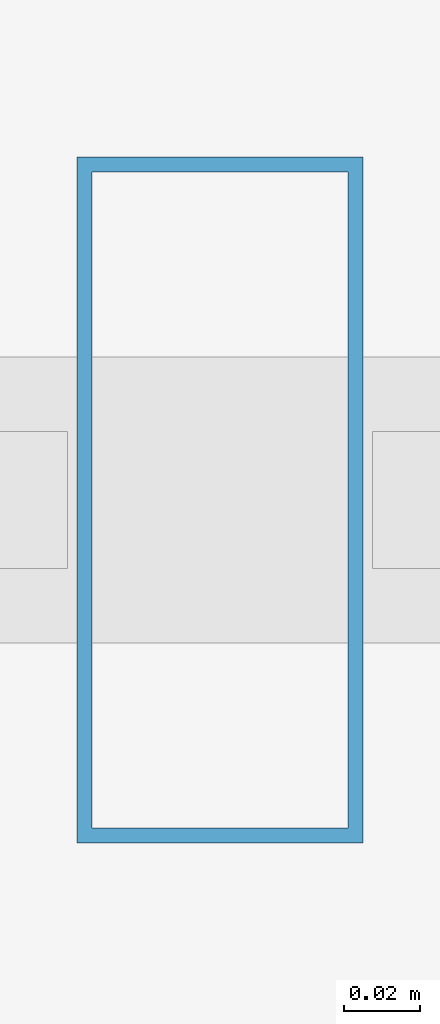
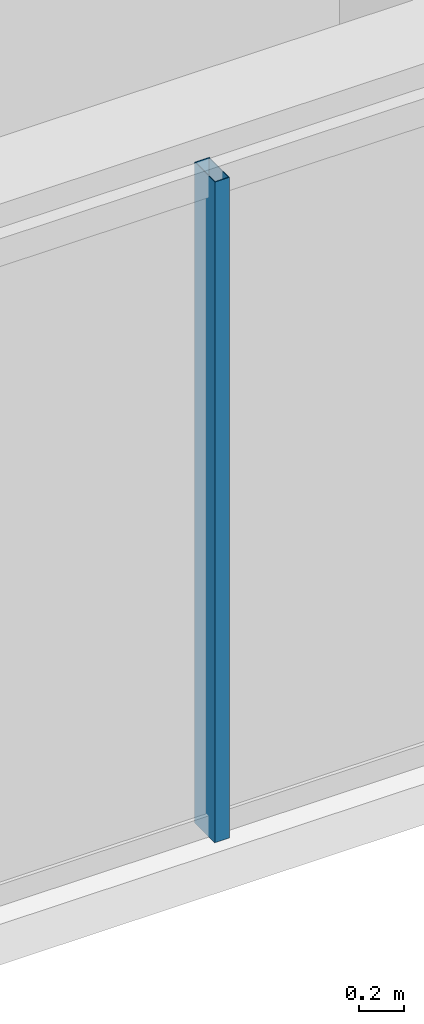
# One storey, part 4 of 33: 1 member, 1 element without a shape of its own.
"""IFC4 building model written with IfcOpenShell, lengths in metres."""

from ifc_helpers import new_model, si_unit, direction, frame, origin, origin_2d, place, context, subcontext, project, spatial, hollow_rectangle, extrude, material, layer, layer_set, material_profile, profile_set, type_object, element, aggregate, save


model = new_model("IFC4")

# Units and contexts
model_context = context("Model", 3, precision=1e-05, world=origin(), true_north=direction((0.0, 1.0)))
body_context = subcontext(model_context, "Body", "Model", "MODEL_VIEW")
ifc_project = project(units=[si_unit("LENGTHUNIT", "METRE"), si_unit("AREAUNIT", "SQUARE_METRE"), si_unit("VOLUMEUNIT", "CUBIC_METRE"), si_unit("PLANEANGLEUNIT", "RADIAN"), si_unit("MASSUNIT", "GRAM", prefix="KILO")], contexts=[model_context])

# Site, building, storey
site_placement = place(None, origin())
site = spatial("IfcSite", under=ifc_project, at=site_placement, CompositionType="ELEMENT")
building_placement = place(site_placement, origin())
building = spatial("IfcBuilding", under=site, at=building_placement, Name="Ndaravel Arena Tower", CompositionType="ELEMENT")
storey_placement = place(building_placement, frame((0.0, 0.0, 149.800048828125)))
storey = spatial("IfcBuildingStorey", under=building, at=storey_placement, Name="L35", CompositionType="ELEMENT", Elevation=149.800048828125)

# Curtain wall, member
ifc_material_1 = material(Name="Aluminium", Category="aluminium")
ifc_layer = layer(ifc_material_1, 0.179931640625)
ifc_layer_set = layer_set([ifc_layer], Name="Aluminium")
curtain_wall_type = type_object("IfcCurtainWallType", Name="CW-SYS-03", PredefinedType="NOTDEFINED", material=ifc_layer_set)
curtain_wall_placement = place(storey_placement, origin())
curtain_wall = element("IfcCurtainWall", 1, at=curtain_wall_placement, inside=storey, type_object=curtain_wall_type, Name="L35 Faceted Crystal Curtain Wall CW-L35-E01", PredefinedType="NOTDEFINED")
ifc_material_2 = material(Name="Aluminium", Category="aluminium")
ifc_material_profile = material_profile(ifc_material_2, hollow_rectangle(XDim=0.074951171875, YDim=0.179931640625, WallThickness=0.00390625, at=origin_2d()), Name="CW MULLION 75x180x4")
ifc_profile_set = profile_set([ifc_material_profile], Name="Aluminium")
member_type = type_object("IfcMemberType", Name="MEM-CW-MUL180", PredefinedType="MULLION", material=ifc_profile_set)
member_placement = place(storey_placement, frame((32.962158203125, 5.159912109375, 0.0), z_axis=(0.0, 0.0, 1.0), x_axis=(1.0, 0.0, 0.0)))
member = element("IfcMember", 2, at=member_placement, type_object=member_type, Name="CW-L35-E01 Mullion 02", PredefinedType="MULLION", context=body_context, shape_type="SweptSolid", body=[
    extrude(hollow_rectangle(XDim=0.074951171875, YDim=0.179931640625, WallThickness=0.00390625, at=origin_2d()), origin(), (0.0, 0.0, 1.0), 3.579833984375),
])
aggregate(curtain_wall, [member])

save(model, "model.ifc")
